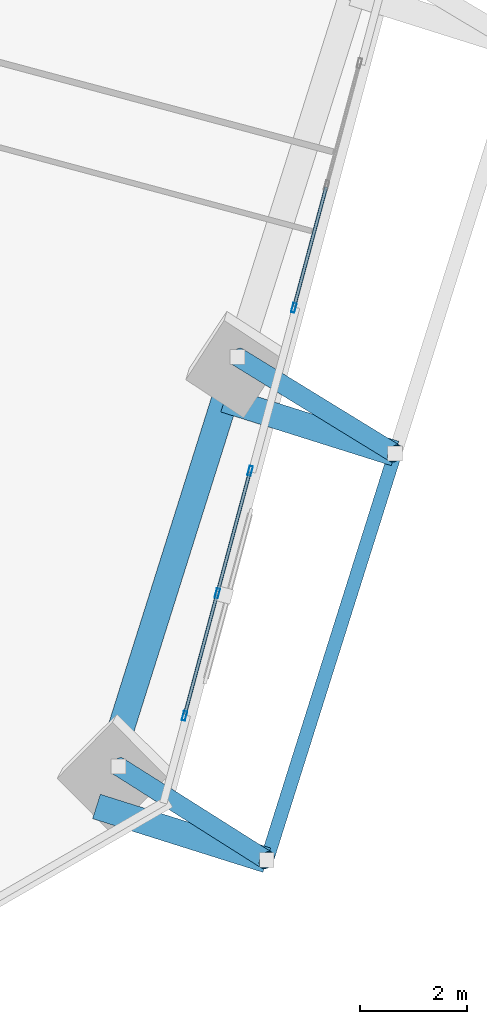
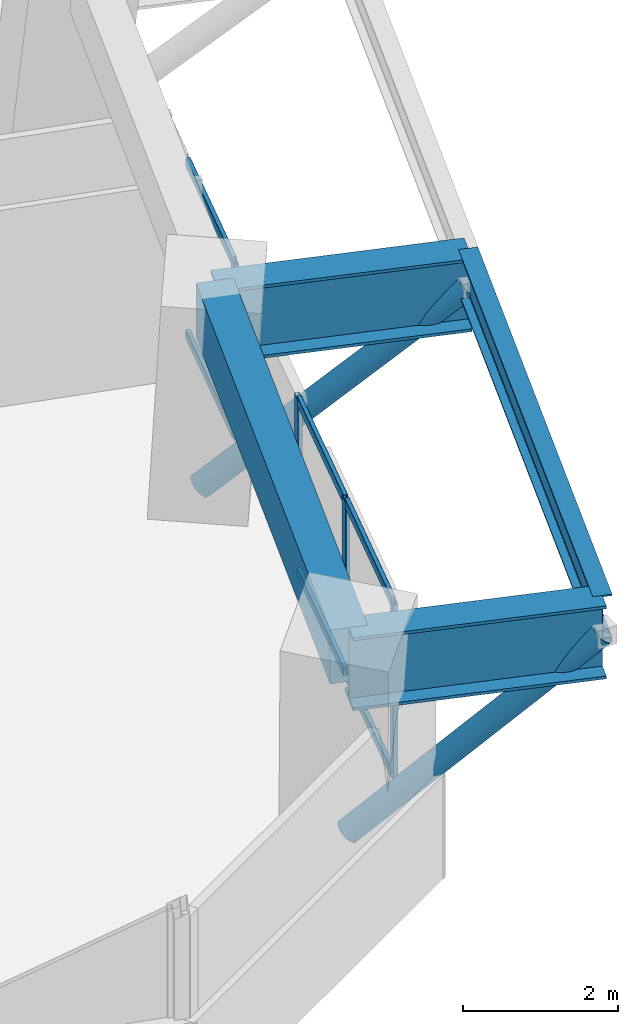
# One storey, part 10 of 27: 12 members, 4 beams, 2 elements without a shape of their own.
"""IFC4 building model written with IfcOpenShell, lengths in metres."""

from ifc_helpers import new_model, si_unit, direction, frame, origin, origin_2d, place, context, subcontext, project, spatial, rectangle, hollow_rectangle, hollow_circle, i_section, extrude, source, transform, mapped, material, material_profile, profile_set, type_object, element, aggregate, save


model = new_model("IFC4")

# Units and contexts
model_context = context("Model", 3, precision=1e-05, world=origin(), true_north=direction((0.0, 1.0)))
body_context = subcontext(model_context, "Body", "Model", "MODEL_VIEW")
ifc_project = project(units=[si_unit("LENGTHUNIT", "METRE"), si_unit("AREAUNIT", "SQUARE_METRE"), si_unit("VOLUMEUNIT", "CUBIC_METRE"), si_unit("PLANEANGLEUNIT", "RADIAN"), si_unit("MASSUNIT", "GRAM", prefix="KILO")], contexts=[model_context])

# Site, building, storey
site_placement = place(None, origin())
site = spatial("IfcSite", under=ifc_project, at=site_placement, CompositionType="ELEMENT")
building_placement = place(site_placement, origin())
building = spatial("IfcBuilding", under=site, at=building_placement, Name="Torre Montelarca", CompositionType="ELEMENT")
storey_placement = place(building_placement, frame((0.0, 0.0, 108.39990234375)))
storey = spatial("IfcBuildingStorey", under=building, at=storey_placement, Name="L24", CompositionType="ELEMENT", Elevation=108.39990234375)

# Members
ifc_material_1 = material(Name="Steel ASTM A500 Grade C", Category="steel")
ifc_material_profile_1 = material_profile(ifc_material_1, hollow_circle(Radius=0.177734375, WallThickness=0.015869140625, at=origin_2d()), Name="HSS355.6X15.9", Category="steel")
ifc_profile_set_1 = profile_set([ifc_material_profile_1], Name="Steel ASTM A500 Grade C")
member_type_1 = type_object("IfcMemberType", Name="MB-BR-CHS356-EXT", PredefinedType="BRACE", material=ifc_profile_set_1)
shared_shape_1 = source(origin(), body_context, "Body", "SweptSolid", [
    extrude(hollow_circle(Radius=0.177734375, WallThickness=0.015869140625, at=origin_2d()), origin(), (0.0, 0.0, 1.0), 4.61669921875),
])
member_1_placement = place(storey_placement, frame((56.223388671875, 13.546142578125, 0.150146484375), z_axis=(0.603013156748, -0.381331919084, 0.700686163897), x_axis=(0.534475341342, 0.845184068412, 0.0)))
element("IfcMember", 1, at=member_1_placement, inside=storey, type_object=member_type_1, Name="L25 Sliding Tray Exterior Diagonal Raker Strut E1", PredefinedType="BRACE", context=body_context, shape_type="MappedRepresentation", body=[
    mapped(shared_shape_1, transform((0.0, 0.0, 0.0), scale=1.0)),
])
shared_shape_2 = source(origin(), body_context, "Body", "SweptSolid", [
    extrude(hollow_circle(Radius=0.177734375, WallThickness=0.015869140625, at=origin_2d()), origin(), (0.0, 0.0, 1.0), 4.738525390625),
])
member_2_placement = place(storey_placement, frame((58.4619140625, 21.2265625, 0.150146484375), z_axis=(0.62280411262, -0.382193986384, 0.682673270368), x_axis=(0.523034845712, 0.852311298864, 0.0)))
element("IfcMember", 2, at=member_2_placement, inside=storey, type_object=member_type_1, Name="L25 Sliding Tray Exterior Diagonal Raker Strut E2", PredefinedType="BRACE", context=body_context, shape_type="MappedRepresentation", body=[
    mapped(shared_shape_2, transform((0.0, 0.0, 0.0), scale=1.0)),
])

# Beams
ifc_material_2 = material(Name="Concrete C55/67", Category="concrete")
ifc_material_profile_2 = material_profile(ifc_material_2, rectangle(XDim=0.5, YDim=0.85009765625, at=origin_2d()), Name="RCB500X850", Category="concrete")
ifc_profile_set_2 = profile_set([ifc_material_profile_2], Name="Concrete C55/67")
beam_type_1 = type_object("IfcBeamType", Name="BM-SP-RC850-EXT", PredefinedType="SPANDREL", material=ifc_profile_set_2)
shared_shape_3 = source(origin(), body_context, "Body", "SweptSolid", [
    extrude(rectangle(XDim=0.5, YDim=0.85009765625, at=origin_2d()), origin(), (0.0, 0.0, 1.0), 7.999755859375),
])
beam_1_placement = place(storey_placement, frame((55.8125, 12.793212890625, 3.53515625), z_axis=(0.300694628035, 0.953720473027, 0.0), x_axis=(-0.953720473027, 0.300694628035, 0.0)))
element("IfcBeam", 3, at=beam_1_placement, inside=storey, type_object=beam_type_1, Name="L24 Grid Girder Y 24.0-32.0 at X=60.0", PredefinedType="SPANDREL", context=body_context, shape_type="MappedRepresentation", body=[
    mapped(shared_shape_3, transform((0.0, 0.0, 0.0), scale=1.0)),
])
ifc_material_3 = material(Name="Steel ASTM A572 Grade 50", Category="steel")
ifc_material_profile_3 = material_profile(ifc_material_3, i_section(OverallWidth=0.47998046875, OverallDepth=1.14990234375, WebThickness=0.02197265625, FlangeThickness=0.044921875, at=origin_2d()), Name="PG1150X480X22X45", Category="steel")
ifc_profile_set_3 = profile_set([ifc_material_profile_3], Name="Steel ASTM A572 Grade 50")
beam_type_2 = type_object("IfcBeamType", Name="BM-CG-PG1400-EXT", PredefinedType="USERDEFINED", material=ifc_profile_set_3)
shared_shape_4 = source(origin(), body_context, "Body", "SweptSolid", [
    extrude(i_section(OverallWidth=0.47998046875, OverallDepth=1.14990234375, WebThickness=0.02197265625, FlangeThickness=0.044921875, at=origin_2d()), origin(), (0.0, 0.0, 1.0), 3.349853515625),
])
beam_2_placement = place(storey_placement, frame((55.8125, 12.793212890625, 3.385009765625), z_axis=(0.953696046555, -0.3007720911, 0.0), x_axis=(0.3007720911, 0.953696046555, 0.0)))
element("IfcBeam", 4, at=beam_2_placement, inside=storey, type_object=beam_type_2, Name="L24 Sliding Tray Cantilever Girder East Y=24m (FLR)", ObjectType="CANTILEVER GIRDER", PredefinedType="USERDEFINED", context=body_context, shape_type="MappedRepresentation", body=[
    mapped(shared_shape_4, transform((0.0, 0.0, 0.0), scale=1.0)),
])
shared_shape_5 = source(origin(), body_context, "Body", "SweptSolid", [
    extrude(i_section(OverallWidth=0.47998046875, OverallDepth=1.14990234375, WebThickness=0.02197265625, FlangeThickness=0.044921875, at=origin_2d()), origin(), (0.0, 0.0, 1.0), 3.35009765625),
])
beam_3_placement = place(storey_placement, frame((58.218017578125, 20.4228515625, 3.385009765625), z_axis=(0.953723539206, -0.300684902786, 0.0), x_axis=(0.300684902786, 0.953723539206, 0.0)))
element("IfcBeam", 5, at=beam_3_placement, inside=storey, type_object=beam_type_2, Name="L24 Sliding Tray Cantilever Girder East Y=32m (FLR)", ObjectType="CANTILEVER GIRDER", PredefinedType="USERDEFINED", context=body_context, shape_type="MappedRepresentation", body=[
    mapped(shared_shape_5, transform((0.0, 0.0, 0.0), scale=1.0)),
])
ifc_material_4 = material(Name="Steel ASTM A992 Grade 50", Category="steel")
ifc_material_profile_4 = material_profile(ifc_material_4, i_section(OverallWidth=0.256103515625, OverallDepth=0.693115234375, WebThickness=0.014404296875, FlangeThickness=0.023681640625, FilletRadius=0.01806640625, at=origin_2d()), Name="W690X170", Category="steel")
ifc_profile_set_4 = profile_set([ifc_material_profile_4], Name="Steel ASTM A992 Grade 50")
beam_type_3 = type_object("IfcBeamType", Name="BM-G-W690-EXT", PredefinedType="BEAM", material=ifc_profile_set_4)
shared_shape_6 = source(origin(), body_context, "Body", "SweptSolid", [
    extrude(i_section(OverallWidth=0.256103515625, OverallDepth=0.693115234375, WebThickness=0.014404296875, FlangeThickness=0.023681640625, FilletRadius=0.01806640625, at=origin_2d()), origin(), (0.0, 0.0, 1.0), 8.000244140625),
])
beam_4_placement = place(storey_placement, frame((59.00732421875, 11.78564453125, 3.614013671875), z_axis=(0.300713634033, 0.953714480495, 0.0), x_axis=(-0.953714480495, 0.300713634033, 0.0)))
element("IfcBeam", 6, at=beam_4_placement, inside=storey, type_object=beam_type_3, Name="L24 Sliding Tray Edge Girder East 24-32m (FLR)", PredefinedType="BEAM", context=body_context, shape_type="MappedRepresentation", body=[
    mapped(shared_shape_6, transform((0.0, 0.0, 0.0), scale=1.0)),
])

# Curtain wall, members
ifc_material_5 = material(Name="Insulated low-E laminated glass", Category="glass")
curtain_wall_type = type_object("IfcCurtainWallType", Name="CW-SYS-Z1", PredefinedType="USERDEFINED", material=ifc_material_5)
curtain_wall_1_placement = place(storey_placement, origin())
curtain_wall_1 = element("IfcCurtainWall", 7, at=curtain_wall_1_placement, inside=storey, type_object=curtain_wall_type, Name="L24 Curtain Wall Run CW-T3-L24-E06-B1", ObjectType="UNITISED GLAZING", PredefinedType="USERDEFINED")
ifc_material_6 = material(Name="Anodised aluminium AA 6063-T6", Category="aluminium")
ifc_material_profile_5 = material_profile(ifc_material_6, hollow_rectangle(XDim=0.06494140625, YDim=0.139892578125, WallThickness=0.00390625, InnerFilletRadius=0.00390625, OuterFilletRadius=0.008056640625, at=origin_2d()), Name="ALU65X140X4", Category="aluminium")
ifc_profile_set_5 = profile_set([ifc_material_profile_5], Name="Anodised aluminium AA 6063-T6")
member_type_2 = type_object("IfcMemberType", Name="CWT-ALU140", PredefinedType="USERDEFINED", material=ifc_profile_set_5)
shared_shape_7 = source(origin(), body_context, "Body", "SweptSolid", [
    extrude(hollow_rectangle(XDim=0.06494140625, YDim=0.139892578125, WallThickness=0.00390625, InnerFilletRadius=0.00390625, OuterFilletRadius=0.008056640625, at=origin_2d()), origin(), (0.0, 0.0, 1.0), 2.314208984375),
])
member_3_placement = place(storey_placement, frame((57.47314453125, 14.526123046875, 0.03271484375), z_axis=(0.258883730688, 0.965908491517, 0.0), x_axis=(-0.965908491517, 0.258883730688, 0.0)))
member_3 = element("IfcMember", 8, at=member_3_placement, type_object=member_type_2, Name="CW transom 1.1", ObjectType="TRANSOM", PredefinedType="USERDEFINED", context=body_context, shape_type="MappedRepresentation", body=[
    mapped(shared_shape_7, transform((0.0, 0.0, 0.0), scale=1.0)),
])
member_4_placement = place(storey_placement, frame((57.47314453125, 14.526123046875, 2.74267578125), z_axis=(0.258883730688, 0.965908491517, 0.0), x_axis=(-0.965908491517, 0.258883730688, 0.0)))
member_4 = element("IfcMember", 9, at=member_4_placement, type_object=member_type_2, Name="CW transom 1.2", ObjectType="TRANSOM", PredefinedType="USERDEFINED", context=body_context, shape_type="MappedRepresentation", body=[
    mapped(shared_shape_7, transform((0.0, 0.0, 0.0), scale=1.0)),
])
ifc_material_profile_6 = material_profile(ifc_material_6, hollow_rectangle(XDim=0.06494140625, YDim=0.179931640625, WallThickness=0.00390625, InnerFilletRadius=0.00390625, OuterFilletRadius=0.008056640625, at=origin_2d()), Name="ALU65X180X4", Category="aluminium")
ifc_profile_set_6 = profile_set([ifc_material_profile_6], Name="Anodised aluminium AA 6063-T6")
member_type_3 = type_object("IfcMemberType", Name="CWM-ALU180", PredefinedType="MULLION", material=ifc_profile_set_6)
shared_shape_8 = source(origin(), body_context, "Body", "SweptSolid", [
    extrude(hollow_rectangle(XDim=0.06494140625, YDim=0.179931640625, WallThickness=0.00390625, InnerFilletRadius=0.00390625, OuterFilletRadius=0.008056640625, at=origin_2d()), origin(), (0.0, 0.0, 1.0), 2.775146484375),
])
member_5_placement = place(storey_placement, frame((57.46484375, 14.49462890625, 0.0), z_axis=(0.0, 0.0, 1.0), x_axis=(-0.965927322958, 0.258813459393, 0.0)))
member_5 = element("IfcMember", 10, at=member_5_placement, type_object=member_type_3, Name="CW mullion 1", PredefinedType="MULLION", context=body_context, shape_type="MappedRepresentation", body=[
    mapped(shared_shape_8, transform((0.0, 0.0, 0.0), scale=1.0)),
])
member_6_placement = place(storey_placement, frame((58.08056640625, 16.79296875, 0.0), z_axis=(0.0, 0.0, 1.0), x_axis=(-0.965927322958, 0.258813459393, 0.0)))
member_6 = element("IfcMember", 11, at=member_6_placement, type_object=member_type_3, Name="CW mullion 2", PredefinedType="MULLION", context=body_context, shape_type="MappedRepresentation", body=[
    mapped(shared_shape_8, transform((0.0, 0.0, 0.0), scale=1.0)),
])
member_7_placement = place(storey_placement, frame((58.6962890625, 19.091064453125, 0.0), z_axis=(0.0, 0.0, 1.0), x_axis=(-0.965927322958, 0.258813459393, 0.0)))
member_7 = element("IfcMember", 12, at=member_7_placement, type_object=member_type_3, Name="CW mullion 3", PredefinedType="MULLION", context=body_context, shape_type="MappedRepresentation", body=[
    mapped(shared_shape_8, transform((0.0, 0.0, 0.0), scale=1.0)),
])

# Curtain wall, member
curtain_wall_2_placement = place(storey_placement, origin())
curtain_wall_2 = element("IfcCurtainWall", 13, at=curtain_wall_2_placement, inside=storey, type_object=curtain_wall_type, Name="L24 Curtain Wall Run CW-T3-L24-E06-B2", ObjectType="UNITISED GLAZING", PredefinedType="USERDEFINED")
member_8_placement = place(storey_placement, frame((59.515625, 22.147705078125, 0.0), z_axis=(0.0, 0.0, 1.0), x_axis=(-0.96593007858, 0.258803174816, 0.0)))
member_8 = element("IfcMember", 14, at=member_8_placement, type_object=member_type_3, Name="CW mullion 1", PredefinedType="MULLION", context=body_context, shape_type="MappedRepresentation", body=[
    mapped(shared_shape_8, transform((0.0, 0.0, 0.0), scale=1.0)),
])

# Member
shared_shape_9 = source(origin(), body_context, "Body", "SweptSolid", [
    extrude(hollow_rectangle(XDim=0.06494140625, YDim=0.139892578125, WallThickness=0.00390625, InnerFilletRadius=0.00390625, OuterFilletRadius=0.008056640625, at=origin_2d()), origin(), (0.0, 0.0, 1.0), 2.314453125),
])
member_9_placement = place(storey_placement, frame((58.089111328125, 16.82421875, 0.03271484375), z_axis=(0.258758933808, 0.965941931057, 0.0), x_axis=(-0.965941931057, 0.258758933808, 0.0)))
member_9 = element("IfcMember", 15, at=member_9_placement, type_object=member_type_2, Name="CW transom 2.1", ObjectType="TRANSOM", PredefinedType="USERDEFINED", context=body_context, shape_type="MappedRepresentation", body=[
    mapped(shared_shape_9, transform((0.0, 0.0, 0.0), scale=1.0)),
])

member_10_placement = place(storey_placement, frame((58.089111328125, 16.82421875, 2.74267578125), z_axis=(0.258758933808, 0.965941931057, 0.0), x_axis=(-0.965941931057, 0.258758933808, 0.0)))
member_10 = element("IfcMember", 16, at=member_10_placement, type_object=member_type_2, Name="CW transom 2.2", ObjectType="TRANSOM", PredefinedType="USERDEFINED", context=body_context, shape_type="MappedRepresentation", body=[
    mapped(shared_shape_9, transform((0.0, 0.0, 0.0), scale=1.0)),
])

aggregate(curtain_wall_1, [member_5, member_6, member_7, member_3, member_4, member_9, member_10])

shared_shape_10 = source(origin(), body_context, "Body", "SweptSolid", [
    extrude(hollow_rectangle(XDim=0.06494140625, YDim=0.139892578125, WallThickness=0.00390625, InnerFilletRadius=0.00390625, OuterFilletRadius=0.008056640625, at=origin_2d()), origin(), (0.0, 0.0, 1.0), 2.311279296875),
])
member_11_placement = place(storey_placement, frame((59.52392578125, 22.17919921875, 0.03271484375), z_axis=(0.258780082079, 0.965936265557, 0.0), x_axis=(-0.965936265557, 0.258780082079, 0.0)))
member_11 = element("IfcMember", 17, at=member_11_placement, type_object=member_type_2, Name="CW transom 1.1", ObjectType="TRANSOM", PredefinedType="USERDEFINED", context=body_context, shape_type="MappedRepresentation", body=[
    mapped(shared_shape_10, transform((0.0, 0.0, 0.0), scale=1.0)),
])

member_12_placement = place(storey_placement, frame((59.52392578125, 22.17919921875, 2.74267578125), z_axis=(0.258780082079, 0.965936265557, 0.0), x_axis=(-0.965936265557, 0.258780082079, 0.0)))
member_12 = element("IfcMember", 18, at=member_12_placement, type_object=member_type_2, Name="CW transom 1.2", ObjectType="TRANSOM", PredefinedType="USERDEFINED", context=body_context, shape_type="MappedRepresentation", body=[
    mapped(shared_shape_10, transform((0.0, 0.0, 0.0), scale=1.0)),
])

aggregate(curtain_wall_2, [member_8, member_11, member_12])

save(model, "model.ifc")
